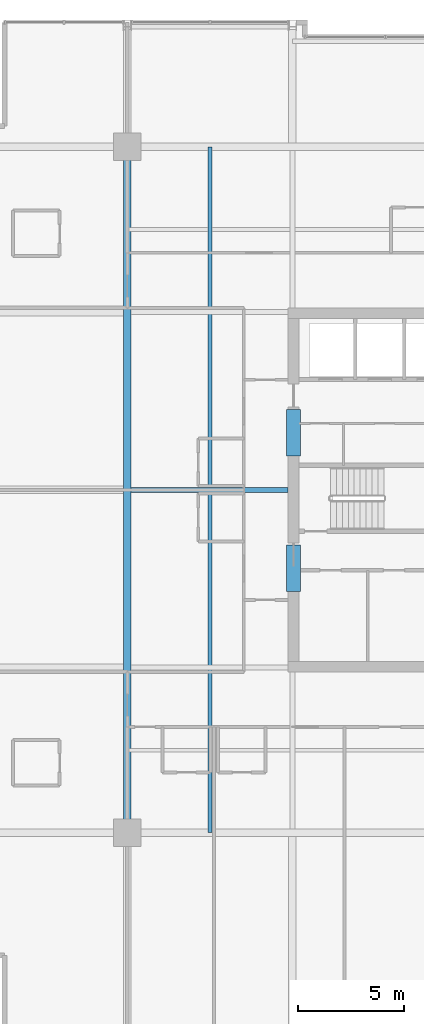
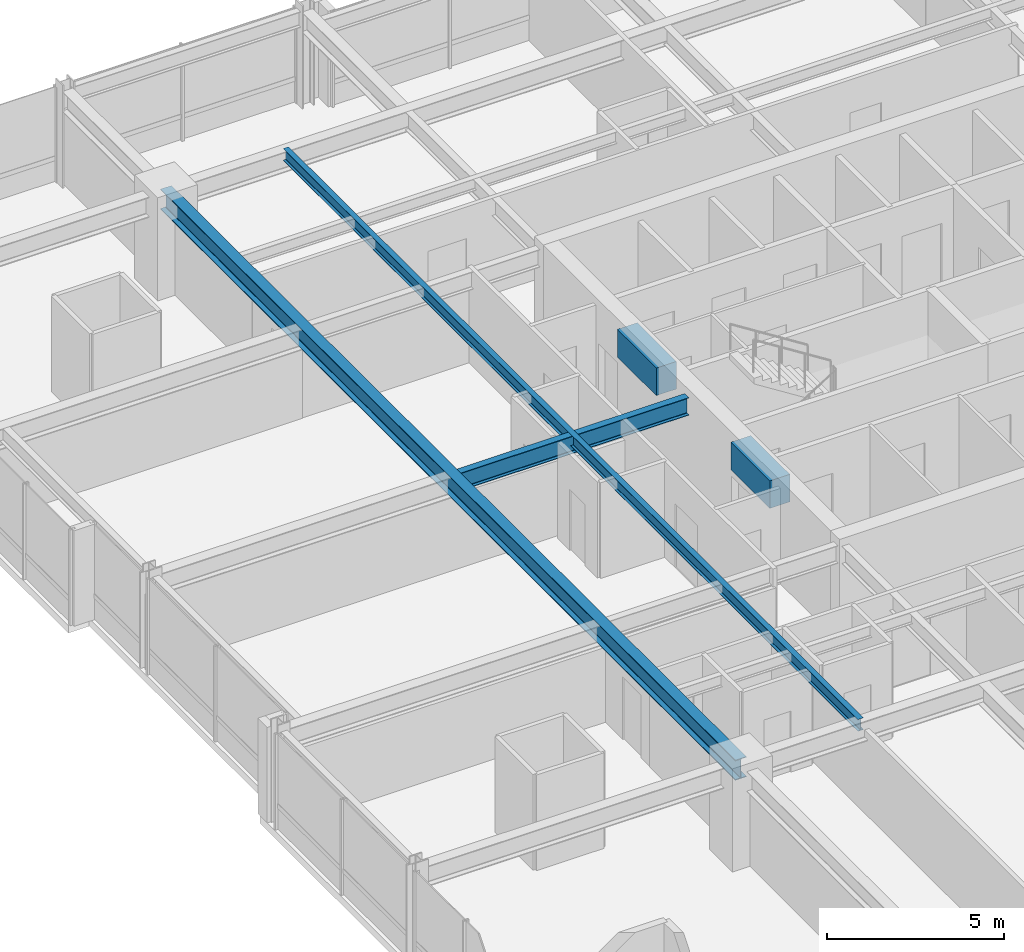
# One storey, part 10 of 32: 5 beams.
"""IFC4 building model written with IfcOpenShell, lengths in metres."""

from ifc_helpers import new_model, si_unit, direction, frame, origin, origin_2d, place, context, subcontext, project, spatial, rectangle, i_section, extrude, material, material_profile, profile_set, type_object, element, save


model = new_model("IFC4")

# Units and contexts
model_context = context("Model", 3, precision=1e-05, world=origin(), true_north=direction((0.0, 1.0)))
body_context = subcontext(model_context, "Body", "Model", "MODEL_VIEW")
ifc_project = project(units=[si_unit("LENGTHUNIT", "METRE"), si_unit("AREAUNIT", "SQUARE_METRE"), si_unit("VOLUMEUNIT", "CUBIC_METRE"), si_unit("PLANEANGLEUNIT", "RADIAN"), si_unit("MASSUNIT", "GRAM", prefix="KILO")], contexts=[model_context])

# Site, building, storey
site_placement = place(None, origin())
site = spatial("IfcSite", under=ifc_project, at=site_placement, CompositionType="ELEMENT")
building_placement = place(site_placement, origin())
building = spatial("IfcBuilding", under=site, at=building_placement, Name="Drelvath Grand Hotel", CompositionType="ELEMENT")
storey_placement = place(building_placement, frame((0.0, 0.0, 193.0)))
storey = spatial("IfcBuildingStorey", under=building, at=storey_placement, Name="L50", CompositionType="ELEMENT", Elevation=193.0)

# Beams
ifc_material_1 = material(Name="Steel ASTM A992 Gr 50", Category="steel")
ifc_material_profile_1 = material_profile(ifc_material_1, i_section(OverallWidth=0.177734375, OverallDepth=0.40673828125, WebThickness=0.0078125, FlangeThickness=0.0126953125, FilletRadius=0.014892578125, at=origin_2d()), Name="W16X40")
ifc_profile_set_1 = profile_set([ifc_material_profile_1], Name="Steel ASTM A992 Gr 50")
beam_type_1 = type_object("IfcBeamType", Name="Composite Floor Joist W16X40", PredefinedType="JOIST", material=ifc_profile_set_1)
beam_1_placement = place(storey_placement, frame((-12.300048828125, 10.800048828125, 3.086669921875), z_axis=(0.0, 1.0, 0.0), x_axis=(-1.0, 0.0, 0.0)))
element("IfcBeam", 1, at=beam_1_placement, inside=storey, type_object=beam_type_1, Name="L50 Wing Floor Joist J3", PredefinedType="JOIST", context=body_context, shape_type="SweptSolid", body=[
    extrude(i_section(OverallWidth=0.177734375, OverallDepth=0.40673828125, WebThickness=0.0078125, FlangeThickness=0.0126953125, FilletRadius=0.014892578125, at=origin_2d()), origin(), (0.0, 0.0, 1.0), 32.39990234375),
])
ifc_material_2 = material(Name="Concrete f'c 55 MPa", Category="concrete")
ifc_material_profile_2 = material_profile(ifc_material_2, rectangle(XDim=0.64990234375, YDim=0.949951171875, at=origin_2d()), Name="CB650X950")
ifc_profile_set_2 = profile_set([ifc_material_profile_2], Name="Concrete f'c 55 MPa")
beam_type_2 = type_object("IfcBeamType", Name="Core Coupling Lintel CB650X950", PredefinedType="LINTEL", material=ifc_profile_set_2)
for number, where, z_axis, x_axis, name in (
    (2, (-8.35009765625, 22.199951171875, 2.81494140625), (0.0, 1.0, 0.0), (-1.0, 0.0, 0.0), "L50 Core Coupling Lintel WS"),
    (3, (-8.35009765625, 28.60009765625, 2.81494140625), (0.0, 1.0, 0.0), (-1.0, 0.0, 0.0), "L50 Core Coupling Lintel WN"),
):
    element("IfcBeam", number, at=place(storey_placement, frame(where, z_axis=z_axis, x_axis=x_axis)), inside=storey, type_object=beam_type_2, Name=name, PredefinedType="LINTEL", context=body_context, shape_type="SweptSolid", body=[
        extrude(rectangle(XDim=0.64990234375, YDim=0.949951171875, at=origin_2d()), origin(), (0.0, 0.0, 1.0), 2.199951171875),
    ])
ifc_material_profile_3 = material_profile(ifc_material_1, i_section(OverallWidth=0.228271484375, OverallDepth=0.607666015625, WebThickness=0.01123046875, FlangeThickness=0.017333984375, FilletRadius=0.02001953125, at=origin_2d()), Name="W24X76")
ifc_profile_set_3 = profile_set([ifc_material_profile_3], Name="Steel ASTM A992 Gr 50")
beam_type_3 = type_object("IfcBeamType", Name="Primary Floor Girder W24X76", PredefinedType="BEAM", material=ifc_profile_set_3)
beam_2_placement = place(storey_placement, frame((-16.022705078125, 27.0, 2.986083984375), z_axis=(1.0, 0.0, 0.0), x_axis=(0.0, 1.0, 0.0)))
element("IfcBeam", 4, at=beam_2_placement, inside=storey, type_object=beam_type_3, Name="L50 West Core Tie E", PredefinedType="BEAM", context=body_context, shape_type="SweptSolid", body=[
    extrude(i_section(OverallWidth=0.228271484375, OverallDepth=0.607666015625, WebThickness=0.01123046875, FlangeThickness=0.017333984375, FilletRadius=0.02001953125, at=origin_2d()), origin(), (0.0, 0.0, 1.0), 7.422607421875),
])
ifc_material_profile_4 = material_profile(ifc_material_1, i_section(OverallWidth=0.354736328125, OverallDepth=0.695556640625, WebThickness=0.015380859375, FlangeThickness=0.025146484375, FilletRadius=0.02392578125, at=origin_2d()), Name="W27X146")
ifc_profile_set_4 = profile_set([ifc_material_profile_4], Name="Steel ASTM A992 Gr 50")
beam_type_4 = type_object("IfcBeamType", Name="Primary Floor Girder W27X146", PredefinedType="BEAM", material=ifc_profile_set_4)
beam_3_placement = place(storey_placement, frame((-16.199951171875, 10.800048828125, 2.9423828125), z_axis=(0.0, 1.0, 0.0), x_axis=(-1.0, 0.0, 0.0)))
element("IfcBeam", 5, at=beam_3_placement, inside=storey, type_object=beam_type_4, Name="L50 Mega Ring Girder West", PredefinedType="BEAM", context=body_context, shape_type="SweptSolid", body=[
    extrude(i_section(OverallWidth=0.354736328125, OverallDepth=0.695556640625, WebThickness=0.015380859375, FlangeThickness=0.025146484375, FilletRadius=0.02392578125, at=origin_2d()), origin(), (0.0, 0.0, 1.0), 32.39990234375),
])

save(model, "model.ifc")
